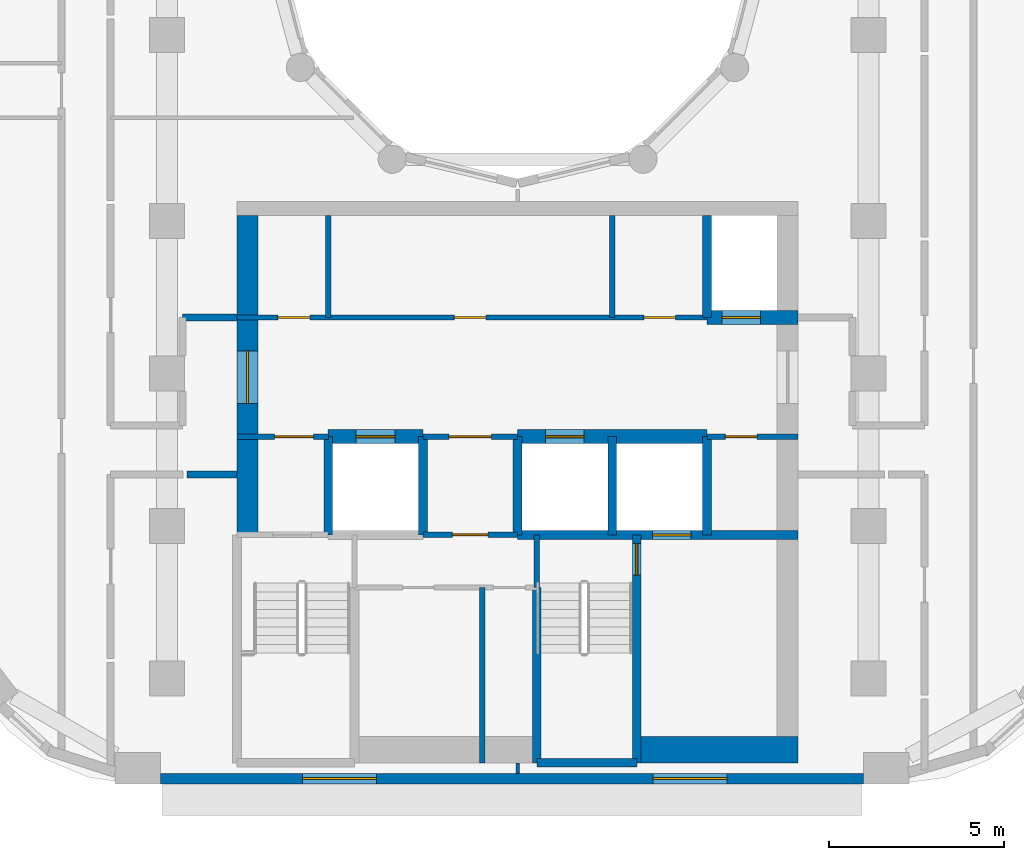
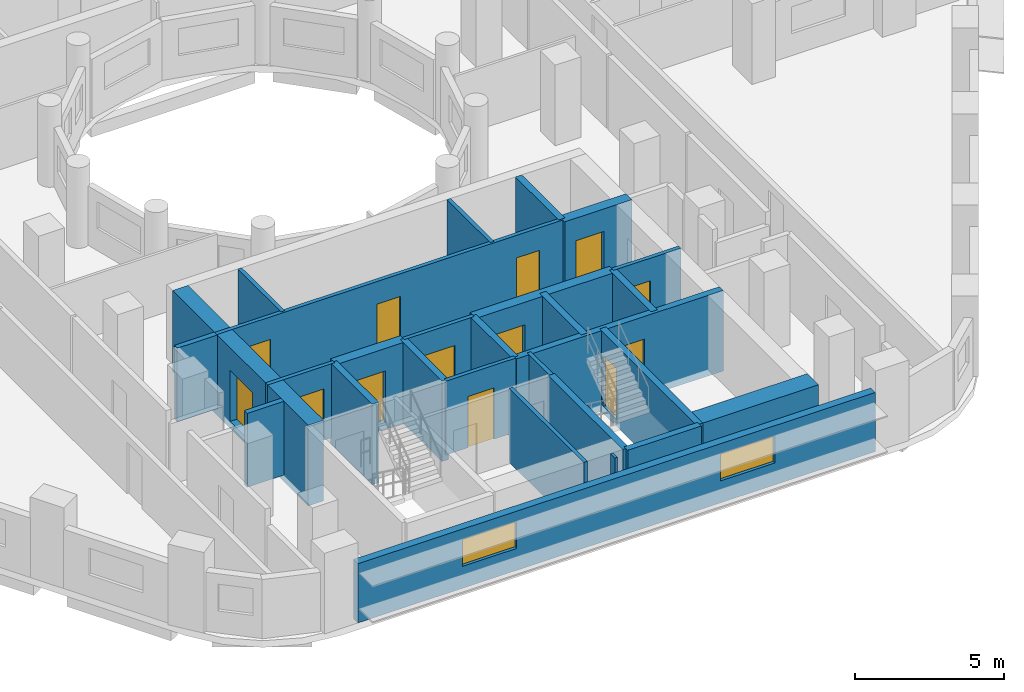
# One storey, part 3 of 13: 28 walls, 13 doors, 2 windows, 15 openings.
"""IFC4 building model written with IfcOpenShell, lengths in metres."""

from ifc_helpers import new_model, si_unit, direction, frame, frame_2d, origin, place, context, subcontext, project, spatial, rectangle, extrude, material, layer, layer_set, type_object, element, fill, save


model = new_model("IFC4")

# Units and contexts
model_context = context("Model", 3, precision=1e-05, world=origin(), true_north=direction((0.0, 1.0)))
body_context = subcontext(model_context, "Body", "Model", "MODEL_VIEW")
ifc_project = project(units=[si_unit("LENGTHUNIT", "METRE"), si_unit("AREAUNIT", "SQUARE_METRE"), si_unit("VOLUMEUNIT", "CUBIC_METRE"), si_unit("PLANEANGLEUNIT", "RADIAN"), si_unit("MASSUNIT", "GRAM", prefix="KILO")], contexts=[model_context])

# Site, building, storey
site_placement = place(None, origin())
site = spatial("IfcSite", under=ifc_project, at=site_placement, CompositionType="ELEMENT")
building_placement = place(site_placement, origin())
building = spatial("IfcBuilding", under=site, at=building_placement, Name="Nakaniwa Court", CompositionType="ELEMENT")
storey_placement = place(building_placement, frame((0.0, 0.0, 150.300048828125)))
storey = spatial("IfcBuildingStorey", under=building, at=storey_placement, Name="L39", CompositionType="ELEMENT", Elevation=150.300048828125)

# Walls
ifc_material_1 = material(Name="Acoustic double stud partition")
ifc_layer_1 = layer(ifc_material_1, 0.199951171875)
ifc_layer_set_1 = layer_set([ifc_layer_1], Name="Acoustic double stud partition")
wall_type_1 = type_object("IfcWallType", Name="Acoustic double stud partition 200", PredefinedType="PARTITIONING", material=ifc_layer_set_1)
wall_1_placement = place(storey_placement, frame((70.5771484375, 64.824951171875, 0.0), z_axis=(0.0, 0.0, 1.0), x_axis=(1.0, 0.0, 0.0)))
element("IfcWall", 1, at=wall_1_placement, inside=storey, type_object=wall_type_1, Name="Partition PW-077", PredefinedType="PARTITIONING", context=body_context, shape_type="SweptSolid", body=[
    extrude(rectangle(XDim=1.4228515625, YDim=0.199951171875, at=frame_2d((0.71142578125, 0.0))), origin(), (0.0, 0.0, 1.0), 3.02490234375),
])
wall_2_placement = place(storey_placement, frame((70.449951171875, 69.300048828125, 0.0), z_axis=(0.0, 0.0, 1.0), x_axis=(1.0, 0.0, 0.0)))
element("IfcWall", 2, at=wall_2_placement, inside=storey, type_object=wall_type_1, Name="Partition PW-081", PredefinedType="PARTITIONING", context=body_context, shape_type="SweptSolid", body=[
    extrude(rectangle(XDim=1.550048828125, YDim=0.199951171875, at=frame_2d((0.77490234375, 0.0))), origin(), (0.0, 0.0, 1.0), 3.02490234375),
])

# Wall, openings, windows
ifc_material_2 = material(Name="Charcoal ceramic cladding")
ifc_layer_2 = layer(ifc_material_2, 0.02, Name="Ceramic cladding")
ifc_material_3 = material(Name="Ventilated air cavity")
ifc_layer_3 = layer(ifc_material_3, 0.04, ventilated=True, Name="Ventilated cavity")
ifc_material_4 = material(Name="Mineral wool insulation")
ifc_layer_4 = layer(ifc_material_4, 0.1, Name="Insulation")
ifc_material_5 = material(Name="Cement bonded sheathing board")
ifc_layer_5 = layer(ifc_material_5, 0.012, Name="Sheathing")
ifc_material_6 = material(Name="Cold-formed galvanised stud frame with mineral wool infill")
ifc_layer_6 = layer(ifc_material_6, 0.1, Name="Stud frame")
ifc_material_7 = material(Name="Fire-rated gypsum plasterboard lining")
ifc_layer_7 = layer(ifc_material_7, 0.028, Name="Lining")
ifc_layer_set_2 = layer_set([ifc_layer_2, ifc_layer_3, ifc_layer_4, ifc_layer_5, ifc_layer_6, ifc_layer_7], Name="Charcoal ceramic faced external wall system")
wall_type_2 = type_object("IfcWallType", Name="Black ceramic faced external wall 300", PredefinedType="SOLIDWALL", material=ifc_layer_set_2)
wall_3_placement = place(storey_placement, frame((69.8212890625, 56.14990234375, 0.0), z_axis=(0.0, 0.0, 1.0), x_axis=(1.0, 0.0, 0.0)))
wall_3 = element("IfcWall", 3, at=wall_3_placement, inside=storey, type_object=wall_type_2, Name="L39 external wall 26", PredefinedType="SOLIDWALL", context=body_context, shape_type="SweptSolid", body=[
    extrude(rectangle(XDim=20.039794921875, YDim=0.300048828125, at=frame_2d((10.02001953125, 0.0))), origin(), (0.0, 0.0, 1.0), 2.425048828125),
])
opening_1_placement = place(wall_3_placement, frame((4.05126953125, 0.0, 0.89990234375)))
opening_1 = element("IfcOpeningElement", 4, at=opening_1_placement, cuts=wall_3, Name="Opening W7.25", PredefinedType="OPENING", context=body_context, shape_type="SweptSolid", body=[
    extrude(rectangle(XDim=2.10009765625, YDim=1.10009765625, at=frame_2d((1.050048828125, 0.550048828125))), frame((0.0, 0.159912109375, 0.0), z_axis=(0.0, -1.0, 0.0), x_axis=(1.0, 0.0, 0.0)), (0.0, 0.0, 1.0), 0.320068359375),
])
opening_2_placement = place(wall_3_placement, frame((14.047119140625, 0.0, 0.89990234375)))
opening_2 = element("IfcOpeningElement", 5, at=opening_2_placement, cuts=wall_3, Name="Opening W7.26", PredefinedType="OPENING", context=body_context, shape_type="SweptSolid", body=[
    extrude(rectangle(XDim=2.10009765625, YDim=1.10009765625, at=frame_2d((1.050048828125, 0.550048828125))), frame((0.0, 0.159912109375, 0.0), z_axis=(0.0, -1.0, 0.0), x_axis=(1.0, 0.0, 0.0)), (0.0, 0.0, 1.0), 0.320068359375),
])
ifc_material_8 = material(Name="Black anodised aluminium frame with dark low-E laminated double glazing", Category="aluminium")
window_type = type_object("IfcWindowType", Name="Dark glass window 2100x1100 sill 900", PartitioningType="SINGLE_PANEL", PredefinedType="WINDOW", material=ifc_material_8)
window_1_placement = place(opening_1_placement, origin())
window_1 = element("IfcWindow", 6, at=window_1_placement, inside=storey, type_object=window_type, Name="L39 habitable room window 26-0", OverallHeight=1.10009765625, OverallWidth=2.10009765625, PartitioningType="SINGLE_PANEL", PredefinedType="WINDOW", context=body_context, shape_type="SweptSolid", body=[
    extrude(rectangle(XDim=2.10009765625, YDim=1.10009765625, at=frame_2d((1.050048828125, 0.550048828125))), frame((0.0, 0.030029296875, 0.0), z_axis=(0.0, -1.0, 0.0), x_axis=(1.0, 0.0, 0.0)), (0.0, 0.0, 1.0), 0.06005859375),
])
fill(opening_1, window_1)
window_2_placement = place(opening_2_placement, origin())
window_2 = element("IfcWindow", 7, at=window_2_placement, inside=storey, type_object=window_type, Name="L39 habitable room window 26-1", OverallHeight=1.10009765625, OverallWidth=2.10009765625, PartitioningType="SINGLE_PANEL", PredefinedType="WINDOW", context=body_context, shape_type="SweptSolid", body=[
    extrude(rectangle(XDim=2.10009765625, YDim=1.10009765625, at=frame_2d((1.050048828125, 0.550048828125))), frame((0.0, 0.030029296875, 0.0), z_axis=(0.0, -1.0, 0.0), x_axis=(1.0, 0.0, 0.0)), (0.0, 0.0, 1.0), 0.06005859375),
])
fill(opening_2, window_2)

# Wall
ifc_material_9 = material(Name="Blockwork partition", Category="masonry")
ifc_layer_8 = layer(ifc_material_9, 0.14990234375)
ifc_layer_set_3 = layer_set([ifc_layer_8], Name="Blockwork partition")
wall_type_3 = type_object("IfcWallType", Name="Blockwork partition 150", PredefinedType="PARTITIONING", material=ifc_layer_set_3)
wall_4_placement = place(storey_placement, frame((74.60009765625, 69.300048828125, 0.0), z_axis=(0.0, 0.0, 1.0), x_axis=(0.0, 1.0, 0.0)))
element("IfcWall", 8, at=wall_4_placement, inside=storey, type_object=wall_type_3, Name="Partition PW-034", PredefinedType="PARTITIONING", context=body_context, shape_type="SweptSolid", body=[
    extrude(rectangle(XDim=2.89990234375, YDim=0.14990234375, at=frame_2d((1.449951171875, 0.0))), origin(), (0.0, 0.0, 1.0), 3.02490234375),
])

# Wall, openings, doors
wall_5_placement = place(storey_placement, frame((72.0, 69.300048828125, 0.0), z_axis=(0.0, 0.0, 1.0), x_axis=(1.0, 0.0, 0.0)))
wall_5 = element("IfcWall", 9, at=wall_5_placement, inside=storey, type_object=wall_type_3, Name="Partition PW-035", PredefinedType="PARTITIONING", context=body_context, shape_type="SweptSolid", body=[
    extrude(rectangle(XDim=13.39990234375, YDim=0.14990234375, at=frame_2d((6.699951171875, 0.0))), origin(), (0.0, 0.0, 1.0), 3.02490234375),
])
opening_3_placement = place(wall_5_placement, frame((1.175048828125, 0.0, 0.0)))
opening_3 = element("IfcOpeningElement", 10, at=opening_3_placement, cuts=wall_5, Name="Opening D-05-07", PredefinedType="OPENING", context=body_context, shape_type="SweptSolid", body=[
    extrude(rectangle(XDim=0.89990234375, YDim=2.10009765625, at=frame_2d((0.449951171875, 1.050048828125))), frame((0.0, 0.0849609375, 0.0), z_axis=(0.0, -1.0, 0.0), x_axis=(1.0, 0.0, 0.0)), (0.0, 0.0, 1.0), 0.169921875),
])
opening_4_placement = place(wall_5_placement, frame((6.199951171875, 0.0, 0.0)))
opening_4 = element("IfcOpeningElement", 11, at=opening_4_placement, cuts=wall_5, Name="Opening D-05-08", PredefinedType="OPENING", context=body_context, shape_type="SweptSolid", body=[
    extrude(rectangle(XDim=0.89990234375, YDim=2.10009765625, at=frame_2d((0.449951171875, 1.050048828125))), frame((0.0, 0.0849609375, 0.0), z_axis=(0.0, -1.0, 0.0), x_axis=(1.0, 0.0, 0.0)), (0.0, 0.0, 1.0), 0.169921875),
])
opening_5_placement = place(wall_5_placement, frame((11.60009765625, 0.0, 0.0)))
opening_5 = element("IfcOpeningElement", 12, at=opening_5_placement, cuts=wall_5, Name="Opening D-05-09", PredefinedType="OPENING", context=body_context, shape_type="SweptSolid", body=[
    extrude(rectangle(XDim=0.89990234375, YDim=2.10009765625, at=frame_2d((0.449951171875, 1.050048828125))), frame((0.0, 0.0849609375, 0.0), z_axis=(0.0, -1.0, 0.0), x_axis=(1.0, 0.0, 0.0)), (0.0, 0.0, 1.0), 0.169921875),
])
ifc_material_10 = material(Name="Fire rated steel door set", Category="steel")
door_type_1 = type_object("IfcDoorType", Name="Service room door 900", OperationType="NOTDEFINED", PredefinedType="DOOR", material=ifc_material_10)
door_1_placement = place(opening_3_placement, origin())
door_1 = element("IfcDoor", 13, at=door_1_placement, inside=storey, type_object=door_type_1, Name="Door D-05-07 L39-012", OperationType="SINGLE_SWING_LEFT", OverallHeight=2.10009765625, OverallWidth=0.89990234375, PredefinedType="DOOR", context=body_context, shape_type="SweptSolid", body=[
    extrude(rectangle(XDim=0.89990234375, YDim=2.10009765625, at=frame_2d((0.449951171875, 1.050048828125))), frame((0.0, 0.02490234375, 0.0), z_axis=(0.0, -1.0, 0.0), x_axis=(1.0, 0.0, 0.0)), (0.0, 0.0, 1.0), 0.050048828125),
])
fill(opening_3, door_1)
door_2_placement = place(opening_4_placement, origin())
door_2 = element("IfcDoor", 14, at=door_2_placement, inside=storey, type_object=door_type_1, Name="Door D-05-08 L39-013", OperationType="SINGLE_SWING_RIGHT", OverallHeight=2.10009765625, OverallWidth=0.89990234375, PredefinedType="DOOR", context=body_context, shape_type="SweptSolid", body=[
    extrude(rectangle(XDim=0.89990234375, YDim=2.10009765625, at=frame_2d((0.449951171875, 1.050048828125))), frame((0.0, 0.02490234375, 0.0), z_axis=(0.0, -1.0, 0.0), x_axis=(1.0, 0.0, 0.0)), (0.0, 0.0, 1.0), 0.050048828125),
])
fill(opening_4, door_2)
door_3_placement = place(opening_5_placement, origin())
door_3 = element("IfcDoor", 15, at=door_3_placement, inside=storey, type_object=door_type_1, Name="Door D-05-09 L39-014", OperationType="SINGLE_SWING_LEFT", OverallHeight=2.10009765625, OverallWidth=0.89990234375, PredefinedType="DOOR", context=body_context, shape_type="SweptSolid", body=[
    extrude(rectangle(XDim=0.89990234375, YDim=2.10009765625, at=frame_2d((0.449951171875, 1.050048828125))), frame((0.0, 0.02490234375, 0.0), z_axis=(0.0, -1.0, 0.0), x_axis=(1.0, 0.0, 0.0)), (0.0, 0.0, 1.0), 0.050048828125),
])
fill(opening_5, door_3)

# Wall
wall_6_placement = place(storey_placement, frame((82.699951171875, 69.300048828125, 0.0), z_axis=(0.0, 0.0, 1.0), x_axis=(0.0, 1.0, 0.0)))
element("IfcWall", 16, at=wall_6_placement, inside=storey, type_object=wall_type_3, Name="Partition PW-041", PredefinedType="PARTITIONING", context=body_context, shape_type="SweptSolid", body=[
    extrude(rectangle(XDim=2.89990234375, YDim=0.14990234375, at=frame_2d((1.449951171875, 0.0))), origin(), (0.0, 0.0, 1.0), 3.02490234375),
])

# Wall, opening, door
wall_7_placement = place(storey_placement, frame((74.60302734375, 65.89990234375, 0.0), z_axis=(0.0, 0.0, 1.0), x_axis=(-1.0, 0.0, 0.0)))
wall_7 = element("IfcWall", 17, at=wall_7_placement, inside=storey, type_object=wall_type_3, Name="Partition PW-042", PredefinedType="PARTITIONING", context=body_context, shape_type="SweptSolid", body=[
    extrude(rectangle(XDim=2.60302734375, YDim=0.14990234375, at=frame_2d((1.301513671875, 0.0))), origin(), (0.0, 0.0, 1.0), 3.02490234375),
])
opening_6_placement = place(wall_7_placement, frame((0.427978515625, 0.0, 0.0)))
opening_6 = element("IfcOpeningElement", 18, at=opening_6_placement, cuts=wall_7, Name="Opening D-08-02", PredefinedType="OPENING", context=body_context, shape_type="SweptSolid", body=[
    extrude(rectangle(XDim=1.10009765625, YDim=2.10009765625, at=frame_2d((0.550048828125, 1.050048828125))), frame((0.0, 0.0849609375, 0.0), z_axis=(0.0, -1.0, 0.0), x_axis=(1.0, 0.0, 0.0)), (0.0, 0.0, 1.0), 0.169921875),
])
door_type_2 = type_object("IfcDoorType", Name="Stair lobby door 1100", OperationType="NOTDEFINED", PredefinedType="DOOR", material=ifc_material_10)
door_4_placement = place(opening_6_placement, origin())
door_4 = element("IfcDoor", 19, at=door_4_placement, inside=storey, type_object=door_type_2, Name="Door D-08-02 L39-015", OperationType="SINGLE_SWING_RIGHT", OverallHeight=2.10009765625, OverallWidth=1.10009765625, PredefinedType="DOOR", context=body_context, shape_type="SweptSolid", body=[
    extrude(rectangle(XDim=1.10009765625, YDim=2.10009765625, at=frame_2d((0.550048828125, 1.050048828125))), frame((0.0, 0.02490234375, 0.0), z_axis=(0.0, -1.0, 0.0), x_axis=(1.0, 0.0, 0.0)), (0.0, 0.0, 1.0), 0.050048828125),
])
fill(opening_6, door_4)

wall_8_placement = place(storey_placement, frame((80.0029296875, 65.89990234375, 0.0), z_axis=(0.0, 0.0, 1.0), x_axis=(-1.0, 0.0, 0.0)))
wall_8 = element("IfcWall", 20, at=wall_8_placement, inside=storey, type_object=wall_type_3, Name="Partition PW-043", PredefinedType="PARTITIONING", context=body_context, shape_type="SweptSolid", body=[
    extrude(rectangle(XDim=2.705810546875, YDim=0.14990234375, at=frame_2d((1.35302734375, 0.0))), origin(), (0.0, 0.0, 1.0), 3.02490234375),
])
opening_7_placement = place(wall_8_placement, frame((0.7529296875, 0.0, 0.0)))
opening_7 = element("IfcOpeningElement", 21, at=opening_7_placement, cuts=wall_8, Name="Opening D-06-02", PredefinedType="OPENING", context=body_context, shape_type="SweptSolid", body=[
    extrude(rectangle(XDim=1.199951171875, YDim=2.10009765625, at=frame_2d((0.60009765625, 1.050048828125))), frame((0.0, 0.0849609375, 0.0), z_axis=(0.0, -1.0, 0.0), x_axis=(1.0, 0.0, 0.0)), (0.0, 0.0, 1.0), 0.169921875),
])
ifc_material_11 = material(Name="Fire rated steel double door set", Category="steel")
door_type_3 = type_object("IfcDoorType", Name="Service passage double door 1200", OperationType="NOTDEFINED", PredefinedType="DOOR", material=ifc_material_11)
door_5_placement = place(opening_7_placement, origin())
door_5 = element("IfcDoor", 22, at=door_5_placement, inside=storey, type_object=door_type_3, Name="Door D-06-02 L39-016", OperationType="DOUBLE_DOOR_SINGLE_SWING", OverallHeight=2.10009765625, OverallWidth=1.199951171875, PredefinedType="DOOR", context=body_context, shape_type="SweptSolid", body=[
    extrude(rectangle(XDim=1.199951171875, YDim=2.10009765625, at=frame_2d((0.60009765625, 1.050048828125))), frame((0.0, 0.02490234375, 0.0), z_axis=(0.0, -1.0, 0.0), x_axis=(1.0, 0.0, 0.0)), (0.0, 0.0, 1.0), 0.050048828125),
])
fill(opening_7, door_5)

wall_9_placement = place(storey_placement, frame((88.0, 65.89990234375, 0.0), z_axis=(0.0, 0.0, 1.0), x_axis=(-1.0, 0.0, 0.0)))
wall_9 = element("IfcWall", 23, at=wall_9_placement, inside=storey, type_object=wall_type_3, Name="Partition PW-044", PredefinedType="PARTITIONING", context=body_context, shape_type="SweptSolid", body=[
    extrude(rectangle(XDim=2.60302734375, YDim=0.14990234375, at=frame_2d((1.301513671875, 0.0))), origin(), (0.0, 0.0, 1.0), 3.02490234375),
])
opening_8_placement = place(wall_9_placement, frame((1.175048828125, 0.0, 0.0)))
opening_8 = element("IfcOpeningElement", 24, at=opening_8_placement, cuts=wall_9, Name="Opening D-05-10", PredefinedType="OPENING", context=body_context, shape_type="SweptSolid", body=[
    extrude(rectangle(XDim=0.89990234375, YDim=2.10009765625, at=frame_2d((0.449951171875, 1.050048828125))), frame((0.0, 0.0849609375, 0.0), z_axis=(0.0, -1.0, 0.0), x_axis=(1.0, 0.0, 0.0)), (0.0, 0.0, 1.0), 0.169921875),
])
door_6_placement = place(opening_8_placement, origin())
door_6 = element("IfcDoor", 25, at=door_6_placement, inside=storey, type_object=door_type_1, Name="Door D-05-10 L39-017", OperationType="SINGLE_SWING_RIGHT", OverallHeight=2.10009765625, OverallWidth=0.89990234375, PredefinedType="DOOR", context=body_context, shape_type="SweptSolid", body=[
    extrude(rectangle(XDim=0.89990234375, YDim=2.10009765625, at=frame_2d((0.449951171875, 1.050048828125))), frame((0.0, 0.02490234375, 0.0), z_axis=(0.0, -1.0, 0.0), x_axis=(1.0, 0.0, 0.0)), (0.0, 0.0, 1.0), 0.050048828125),
])
fill(opening_8, door_6)

wall_10_placement = place(storey_placement, frame((80.0, 63.10009765625, 0.0), z_axis=(0.0, 0.0, 1.0), x_axis=(-1.0, 0.0, 0.0)))
wall_10 = element("IfcWall", 26, at=wall_10_placement, inside=storey, type_object=wall_type_3, Name="Partition PW-053", PredefinedType="PARTITIONING", context=body_context, shape_type="SweptSolid", body=[
    extrude(rectangle(XDim=2.699951171875, YDim=0.14990234375, at=frame_2d((1.35009765625, 0.0))), origin(), (0.0, 0.0, 1.0), 3.02490234375),
])
opening_9_placement = place(wall_10_placement, frame((0.85009765625, 0.0, 0.0)))
opening_9 = element("IfcOpeningElement", 27, at=opening_9_placement, cuts=wall_10, Name="Opening D-23-02", PredefinedType="OPENING", context=body_context, shape_type="SweptSolid", body=[
    extrude(rectangle(XDim=1.0, YDim=2.10009765625, at=frame_2d((0.5, 1.050048828125))), frame((0.0, 0.0849609375, 0.0), z_axis=(0.0, -1.0, 0.0), x_axis=(1.0, 0.0, 0.0)), (0.0, 0.0, 1.0), 0.169921875),
])
door_type_4 = type_object("IfcDoorType", Name="Service room door 1000", OperationType="NOTDEFINED", PredefinedType="DOOR", material=ifc_material_10)
door_7_placement = place(opening_9_placement, origin())
door_7 = element("IfcDoor", 28, at=door_7_placement, inside=storey, type_object=door_type_4, Name="Door D-23-02 L39-018", OperationType="SINGLE_SWING_LEFT", OverallHeight=2.10009765625, OverallWidth=1.0, PredefinedType="DOOR", context=body_context, shape_type="SweptSolid", body=[
    extrude(rectangle(XDim=1.0, YDim=2.10009765625, at=frame_2d((0.5, 1.050048828125))), frame((0.0, 0.02490234375, 0.0), z_axis=(0.0, -1.0, 0.0), x_axis=(1.0, 0.0, 0.0)), (0.0, 0.0, 1.0), 0.050048828125),
])
fill(opening_9, door_7)

# Wall
wall_11_placement = place(storey_placement, frame((78.989990234375, 56.60009765625, 0.0), z_axis=(0.0, 0.0, 1.0), x_axis=(0.0, 1.0, 0.0)))
element("IfcWall", 29, at=wall_11_placement, inside=storey, type_object=wall_type_3, Name="Partition PW-066", PredefinedType="PARTITIONING", context=body_context, shape_type="SweptSolid", body=[
    extrude(rectangle(XDim=5.0, YDim=0.14990234375, at=frame_2d((2.5, 0.0))), origin(), (0.0, 0.0, 1.0), 3.02490234375),
])

# Wall, opening, door
ifc_material_12 = material(Name="Concrete C80/100", Category="concrete")
ifc_layer_9 = layer(ifc_material_12, 0.60009765625)
ifc_layer_set_4 = layer_set([ifc_layer_9], Name="Concrete C80/100")
wall_type_4 = type_object("IfcWallType", Name="Concrete core side wall 600 C80", PredefinedType="SHEAR", material=ifc_layer_set_4)
wall_12_placement = place(storey_placement, frame((72.300048828125, 63.10009765625, -0.275146484375), z_axis=(0.0, 0.0, 1.0), x_axis=(0.0, 1.0, 0.0)))
wall_12 = element("IfcWall", 30, at=wall_12_placement, inside=storey, type_object=wall_type_4, Name="Core wall SW-36", PredefinedType="SHEAR", context=body_context, shape_type="SweptSolid", body=[
    extrude(rectangle(XDim=9.099853515625, YDim=0.60009765625, at=frame_2d((4.5498046875, 0.0))), origin(), (0.0, 0.0, 1.0), 3.300048828125),
])
opening_10_placement = place(wall_12_placement, frame((3.748046875, 0.0, 0.27490234375)))
opening_10 = element("IfcOpeningElement", 31, at=opening_10_placement, cuts=wall_12, Name="Opening D-07-04", PredefinedType="OPENING", context=body_context, shape_type="SweptSolid", body=[
    extrude(rectangle(XDim=1.5, YDim=2.10009765625, at=frame_2d((0.75, 1.050048828125))), frame((0.0, 0.31005859375, 0.0), z_axis=(0.0, -1.0, 0.0), x_axis=(1.0, 0.0, 0.0)), (0.0, 0.0, 1.0), 0.6201171875),
])
ifc_material_13 = material(Name="Glazed fire rated steel double door set", Category="steel")
door_type_5 = type_object("IfcDoorType", Name="Lobby double door 1500", OperationType="NOTDEFINED", PredefinedType="DOOR", material=ifc_material_13)
door_8_placement = place(opening_10_placement, origin())
door_8 = element("IfcDoor", 32, at=door_8_placement, inside=storey, type_object=door_type_5, Name="Door D-07-04 L39-052", OperationType="DOUBLE_DOOR_SINGLE_SWING", OverallHeight=2.10009765625, OverallWidth=1.5, PredefinedType="DOOR", context=body_context, shape_type="SweptSolid", body=[
    extrude(rectangle(XDim=1.5, YDim=2.10009765625, at=frame_2d((0.75, 1.050048828125))), frame((0.0, 0.02490234375, 0.0), z_axis=(0.0, -1.0, 0.0), x_axis=(1.0, 0.0, 0.0)), (0.0, 0.0, 1.0), 0.050048828125),
])
fill(opening_10, door_8)

ifc_layer_10 = layer(ifc_material_12, 0.39990234375)
ifc_layer_set_5 = layer_set([ifc_layer_10], Name="Concrete C80/100")
wall_type_5 = type_object("IfcWallType", Name="Concrete core spine wall 400 C80", PredefinedType="SHEAR", material=ifc_layer_set_5)
wall_13_placement = place(storey_placement, frame((85.39990234375, 69.300048828125, -0.275146484375), z_axis=(0.0, 0.0, 1.0), x_axis=(1.0, 0.0, 0.0)))
wall_13 = element("IfcWall", 33, at=wall_13_placement, inside=storey, type_object=wall_type_5, Name="Core wall SW-39", PredefinedType="SHEAR", context=body_context, shape_type="SweptSolid", body=[
    extrude(rectangle(XDim=2.60009765625, YDim=0.39990234375, at=frame_2d((1.300048828125, 0.0))), origin(), (0.0, 0.0, 1.0), 3.300048828125),
])
opening_11_placement = place(wall_13_placement, frame((0.425048828125, 0.0, 0.27490234375)))
opening_11 = element("IfcOpeningElement", 34, at=opening_11_placement, cuts=wall_13, Name="Opening LD05", PredefinedType="OPENING", context=body_context, shape_type="SweptSolid", body=[
    extrude(rectangle(XDim=1.10009765625, YDim=2.10009765625, at=frame_2d((0.550048828125, 1.050048828125))), frame((0.0, 0.2099609375, 0.0), z_axis=(0.0, -1.0, 0.0), x_axis=(1.0, 0.0, 0.0)), (0.0, 0.0, 1.0), 0.419921875),
])
ifc_material_14 = material(Name="Stainless steel sliding lift landing door", Category="steel")
door_type_6 = type_object("IfcDoorType", Name="Lift landing door 1100", OperationType="NOTDEFINED", PredefinedType="DOOR", material=ifc_material_14)
door_9_placement = place(opening_11_placement, origin())
door_9 = element("IfcDoor", 35, at=door_9_placement, inside=storey, type_object=door_type_6, Name="Lift landing door LD05 L39-005", OperationType="SLIDING_TO_LEFT", OverallHeight=2.10009765625, OverallWidth=1.10009765625, PredefinedType="DOOR", context=body_context, shape_type="SweptSolid", body=[
    extrude(rectangle(XDim=1.10009765625, YDim=2.10009765625, at=frame_2d((0.550048828125, 1.050048828125))), frame((0.0, 0.02490234375, 0.0), z_axis=(0.0, -1.0, 0.0), x_axis=(1.0, 0.0, 0.0)), (0.0, 0.0, 1.0), 0.050048828125),
])
fill(opening_11, door_9)

wall_14_placement = place(storey_placement, frame((74.596923828125, 65.89990234375, -0.275146484375), z_axis=(0.0, 0.0, 1.0), x_axis=(1.0, 0.0, 0.0)))
wall_14 = element("IfcWall", 36, at=wall_14_placement, inside=storey, type_object=wall_type_5, Name="Core wall SW-45", PredefinedType="SHEAR", context=body_context, shape_type="SweptSolid", body=[
    extrude(rectangle(XDim=2.7060546875, YDim=0.39990234375, at=frame_2d((1.35302734375, 0.0))), origin(), (0.0, 0.0, 1.0), 3.300048828125),
])
opening_12_placement = place(wall_14_placement, frame((0.802978515625, 0.0, 0.27490234375)))
opening_12 = element("IfcOpeningElement", 37, at=opening_12_placement, cuts=wall_14, Name="Opening LD06", PredefinedType="OPENING", context=body_context, shape_type="SweptSolid", body=[
    extrude(rectangle(XDim=1.10009765625, YDim=2.10009765625, at=frame_2d((0.550048828125, 1.050048828125))), frame((0.0, 0.2099609375, 0.0), z_axis=(0.0, -1.0, 0.0), x_axis=(1.0, 0.0, 0.0)), (0.0, 0.0, 1.0), 0.419921875),
])
door_10_placement = place(opening_12_placement, origin())
door_10 = element("IfcDoor", 38, at=door_10_placement, inside=storey, type_object=door_type_6, Name="Lift landing door LD06 L39-006", OperationType="SLIDING_TO_LEFT", OverallHeight=2.10009765625, OverallWidth=1.10009765625, PredefinedType="DOOR", context=body_context, shape_type="SweptSolid", body=[
    extrude(rectangle(XDim=1.10009765625, YDim=2.10009765625, at=frame_2d((0.550048828125, 1.050048828125))), frame((0.0, 0.02490234375, 0.0), z_axis=(0.0, -1.0, 0.0), x_axis=(1.0, 0.0, 0.0)), (0.0, 0.0, 1.0), 0.050048828125),
])
fill(opening_12, door_10)

wall_15_placement = place(storey_placement, frame((79.9970703125, 65.89990234375, -0.275146484375), z_axis=(0.0, 0.0, 1.0), x_axis=(1.0, 0.0, 0.0)))
wall_15 = element("IfcWall", 39, at=wall_15_placement, inside=storey, type_object=wall_type_5, Name="Core wall SW-46", PredefinedType="SHEAR", context=body_context, shape_type="SweptSolid", body=[
    extrude(rectangle(XDim=5.406005859375, YDim=0.39990234375, at=frame_2d((2.703125, 0.0))), origin(), (0.0, 0.0, 1.0), 3.300048828125),
])
opening_13_placement = place(wall_15_placement, frame((0.802978515625, 0.0, 0.27490234375)))
opening_13 = element("IfcOpeningElement", 40, at=opening_13_placement, cuts=wall_15, Name="Opening LD07", PredefinedType="OPENING", context=body_context, shape_type="SweptSolid", body=[
    extrude(rectangle(XDim=1.10009765625, YDim=2.10009765625, at=frame_2d((0.550048828125, 1.050048828125))), frame((0.0, 0.2099609375, 0.0), z_axis=(0.0, -1.0, 0.0), x_axis=(1.0, 0.0, 0.0)), (0.0, 0.0, 1.0), 0.419921875),
])
door_11_placement = place(opening_13_placement, origin())
door_11 = element("IfcDoor", 41, at=door_11_placement, inside=storey, type_object=door_type_6, Name="Lift landing door LD07 L39-007", OperationType="SLIDING_TO_LEFT", OverallHeight=2.10009765625, OverallWidth=1.10009765625, PredefinedType="DOOR", context=body_context, shape_type="SweptSolid", body=[
    extrude(rectangle(XDim=1.10009765625, YDim=2.10009765625, at=frame_2d((0.550048828125, 1.050048828125))), frame((0.0, 0.02490234375, 0.0), z_axis=(0.0, -1.0, 0.0), x_axis=(1.0, 0.0, 0.0)), (0.0, 0.0, 1.0), 0.050048828125),
])
fill(opening_13, door_11)

# Walls
ifc_layer_11 = layer(ifc_material_12, 0.14990234375)
ifc_layer_set_6 = layer_set([ifc_layer_11], Name="Concrete C80/100")
wall_type_6 = type_object("IfcWallType", Name="Concrete core wall 150 C80", PredefinedType="SHEAR", material=ifc_layer_set_6)
wall_16_placement = place(storey_placement, frame((80.550048828125, 61.596923828125, -0.275146484375), z_axis=(0.0, 0.0, 1.0), x_axis=(0.0, 1.0, 0.0)))
element("IfcWall", 42, at=wall_16_placement, inside=storey, type_object=wall_type_6, Name="Core wall SW-61", PredefinedType="SHEAR", context=body_context, shape_type="SweptSolid", body=[
    extrude(rectangle(XDim=1.503173828125, YDim=0.14990234375, at=frame_2d((0.75146484375, 0.0))), origin(), (0.0, 0.0, 1.0), 3.300048828125),
])
ifc_layer_12 = layer(ifc_material_12, 0.25)
ifc_layer_set_7 = layer_set([ifc_layer_12], Name="Concrete C80/100")
wall_type_7 = type_object("IfcWallType", Name="Concrete core wall 250 C80", PredefinedType="SHEAR", material=ifc_layer_set_7)
wall_17_placement = place(storey_placement, frame((80.550048828125, 56.60009765625, -0.275146484375), z_axis=(0.0, 0.0, 1.0), x_axis=(1.0, 0.0, 0.0)))
element("IfcWall", 43, at=wall_17_placement, inside=storey, type_object=wall_type_7, Name="Core wall SW-59", PredefinedType="SHEAR", context=body_context, shape_type="SweptSolid", body=[
    extrude(rectangle(XDim=2.849853515625, YDim=0.25, at=frame_2d((1.4248046875, 0.0))), origin(), (0.0, 0.0, 1.0), 3.300048828125),
])
ifc_layer_13 = layer(ifc_material_12, 0.75)
ifc_layer_set_8 = layer_set([ifc_layer_13], Name="Concrete C80/100")
wall_type_8 = type_object("IfcWallType", Name="Concrete core wall 750 C80", PredefinedType="SHEAR", material=ifc_layer_set_8)
wall_18_placement = place(storey_placement, frame((83.39990234375, 56.97509765625, -0.275146484375), z_axis=(0.0, 0.0, 1.0), x_axis=(1.0, 0.0, 0.0)))
element("IfcWall", 44, at=wall_18_placement, inside=storey, type_object=wall_type_8, Name="Core wall SW-64", PredefinedType="SHEAR", context=body_context, shape_type="SweptSolid", body=[
    extrude(rectangle(XDim=4.60009765625, YDim=0.75, at=frame_2d((2.300048828125, 0.0))), origin(), (0.0, 0.0, 1.0), 3.300048828125),
])
ifc_layer_14 = layer(ifc_material_12, 0.25)
ifc_layer_set_9 = layer_set([ifc_layer_14], Name="Concrete C80/100")
wall_type_9 = type_object("IfcWallType", Name="Concrete shaft wall 250 C80", PredefinedType="SHEAR", material=ifc_layer_set_9)
wall_19_placement = place(storey_placement, frame((85.39990234375, 63.10009765625, -0.275146484375), z_axis=(0.0, 0.0, 1.0), x_axis=(0.0, 1.0, 0.0)))
element("IfcWall", 45, at=wall_19_placement, inside=storey, type_object=wall_type_9, Name="Core wall SW-37", PredefinedType="SHEAR", context=body_context, shape_type="SweptSolid", body=[
    extrude(rectangle(XDim=2.7998046875, YDim=0.25, at=frame_2d((1.39990234375, 0.0))), origin(), (0.0, 0.0, 1.0), 3.300048828125),
])
wall_20_placement = place(storey_placement, frame((85.39990234375, 69.300048828125, -0.275146484375), z_axis=(0.0, 0.0, 1.0), x_axis=(0.0, 1.0, 0.0)))
element("IfcWall", 46, at=wall_20_placement, inside=storey, type_object=wall_type_9, Name="Core wall SW-38", PredefinedType="SHEAR", context=body_context, shape_type="SweptSolid", body=[
    extrude(rectangle(XDim=2.89990234375, YDim=0.25, at=frame_2d((1.449951171875, 0.0))), origin(), (0.0, 0.0, 1.0), 3.300048828125),
])
for number, where, z_axis, x_axis, name in (
    (47, (74.60009765625, 63.10009765625, -0.275146484375), (0.0, 0.0, 1.0), (0.0, 1.0, 0.0), "Core wall SW-47"),
    (48, (77.300048828125, 63.10009765625, -0.275146484375), (0.0, 0.0, 1.0), (0.0, 1.0, 0.0), "Core wall SW-49"),
):
    element("IfcWall", number, at=place(storey_placement, frame(where, z_axis=z_axis, x_axis=x_axis)), inside=storey, type_object=wall_type_9, Name=name, PredefinedType="SHEAR", context=body_context, shape_type="SweptSolid", body=[
        extrude(rectangle(XDim=2.7998046875, YDim=0.25, at=frame_2d((1.39990234375, 0.0))), origin(), (0.0, 0.0, 1.0), 3.300048828125),
    ])

# Wall, opening, door
wall_21_placement = place(storey_placement, frame((80.0, 63.10009765625, -0.275146484375), z_axis=(0.0, 0.0, 1.0), x_axis=(1.0, 0.0, 0.0)))
wall_21 = element("IfcWall", 49, at=wall_21_placement, inside=storey, type_object=wall_type_9, Name="Core wall SW-51", PredefinedType="SHEAR", context=body_context, shape_type="SweptSolid", body=[
    extrude(rectangle(XDim=8.0, YDim=0.25, at=frame_2d((4.0, 0.0))), origin(), (0.0, 0.0, 1.0), 3.300048828125),
])
opening_14_placement = place(wall_21_placement, frame((3.84912109375, 0.0, 0.27490234375)))
opening_14 = element("IfcOpeningElement", 50, at=opening_14_placement, cuts=wall_21, Name="Opening LD08", PredefinedType="OPENING", context=body_context, shape_type="SweptSolid", body=[
    extrude(rectangle(XDim=1.10009765625, YDim=2.10009765625, at=frame_2d((0.550048828125, 1.050048828125))), frame((0.0, 0.135009765625, 0.0), z_axis=(0.0, -1.0, 0.0), x_axis=(1.0, 0.0, 0.0)), (0.0, 0.0, 1.0), 0.27001953125),
])
door_12_placement = place(opening_14_placement, origin())
door_12 = element("IfcDoor", 51, at=door_12_placement, inside=storey, type_object=door_type_6, Name="Lift landing door LD08 L39-008", OperationType="SLIDING_TO_LEFT", OverallHeight=2.10009765625, OverallWidth=1.10009765625, PredefinedType="DOOR", context=body_context, shape_type="SweptSolid", body=[
    extrude(rectangle(XDim=1.10009765625, YDim=2.10009765625, at=frame_2d((0.550048828125, 1.050048828125))), frame((0.0, 0.02490234375, 0.0), z_axis=(0.0, -1.0, 0.0), x_axis=(1.0, 0.0, 0.0)), (0.0, 0.0, 1.0), 0.050048828125),
])
fill(opening_14, door_12)

# Walls
for number, where, z_axis, x_axis, name in (
    (52, (80.0, 63.10009765625, -0.275146484375), (0.0, 0.0, 1.0), (0.0, 1.0, 0.0), "Core wall SW-52"),
    (53, (82.699951171875, 63.10009765625, -0.275146484375), (0.0, 0.0, 1.0), (0.0, 1.0, 0.0), "Core wall SW-54"),
):
    element("IfcWall", number, at=place(storey_placement, frame(where, z_axis=z_axis, x_axis=x_axis)), inside=storey, type_object=wall_type_9, Name=name, PredefinedType="SHEAR", context=body_context, shape_type="SweptSolid", body=[
        extrude(rectangle(XDim=2.7998046875, YDim=0.25, at=frame_2d((1.39990234375, 0.0))), origin(), (0.0, 0.0, 1.0), 3.300048828125),
    ])

# Wall, opening, door
wall_22_placement = place(storey_placement, frame((83.39990234375, 63.10009765625, -0.275146484375), z_axis=(0.0, 0.0, 1.0), x_axis=(0.0, -1.0, 0.0)))
wall_22 = element("IfcWall", 54, at=wall_22_placement, inside=storey, type_object=wall_type_9, Name="Core wall SW-60", PredefinedType="SHEAR", context=body_context, shape_type="SweptSolid", body=[
    extrude(rectangle(XDim=6.5, YDim=0.25, at=frame_2d((3.25, 0.0))), origin(), (0.0, 0.0, 1.0), 3.300048828125),
])
opening_15_placement = place(wall_22_placement, frame((0.25, 0.0, 0.27490234375)))
opening_15 = element("IfcOpeningElement", 55, at=opening_15_placement, cuts=wall_22, Name="Opening D-11-02", PredefinedType="OPENING", context=body_context, shape_type="SweptSolid", body=[
    extrude(rectangle(XDim=0.89990234375, YDim=2.10009765625, at=frame_2d((0.449951171875, 1.050048828125))), frame((0.0, 0.135009765625, 0.0), z_axis=(0.0, -1.0, 0.0), x_axis=(1.0, 0.0, 0.0)), (0.0, 0.0, 1.0), 0.27001953125),
])
door_type_7 = type_object("IfcDoorType", Name="Stair door 900", OperationType="NOTDEFINED", PredefinedType="DOOR", material=ifc_material_10)
door_13_placement = place(opening_15_placement, origin())
door_13 = element("IfcDoor", 56, at=door_13_placement, inside=storey, type_object=door_type_7, Name="Door D-11-02 L39-022", OperationType="SINGLE_SWING_RIGHT", OverallHeight=2.10009765625, OverallWidth=0.89990234375, PredefinedType="DOOR", context=body_context, shape_type="SweptSolid", body=[
    extrude(rectangle(XDim=0.89990234375, YDim=2.10009765625, at=frame_2d((0.449951171875, 1.050048828125))), frame((0.0, 0.02490234375, 0.0), z_axis=(0.0, -1.0, 0.0), x_axis=(1.0, 0.0, 0.0)), (0.0, 0.0, 1.0), 0.050048828125),
])
fill(opening_15, door_13)

# Walls
wall_23_placement = place(storey_placement, frame((80.550048828125, 56.60009765625, -0.275146484375), z_axis=(0.0, 0.0, 1.0), x_axis=(0.0, 1.0, 0.0)))
element("IfcWall", 57, at=wall_23_placement, inside=storey, type_object=wall_type_9, Name="Core wall SW-62", PredefinedType="SHEAR", context=body_context, shape_type="SweptSolid", body=[
    extrude(rectangle(XDim=5.0029296875, YDim=0.25, at=frame_2d((2.50146484375, 0.0))), origin(), (0.0, 0.0, 1.0), 3.300048828125),
])
ifc_material_15 = material(Name="Single stud plasterboard partition")
ifc_layer_15 = layer(ifc_material_15, 0.10009765625)
ifc_layer_set_10 = layer_set([ifc_layer_15], Name="Single stud plasterboard partition")
wall_type_10 = type_object("IfcWallType", Name="Single stud plasterboard partition 100", PredefinedType="PARTITIONING", material=ifc_layer_set_10)
wall_24_placement = place(storey_placement, frame((80.0, 56.300048828125, 0.0), z_axis=(0.0, 0.0, 1.0), x_axis=(0.0, 1.0, 0.0)))
element("IfcWall", 58, at=wall_24_placement, inside=storey, type_object=wall_type_10, Name="Partition PW-111", PredefinedType="PARTITIONING", context=body_context, shape_type="SweptSolid", body=[
    extrude(rectangle(XDim=0.300048828125, YDim=0.10009765625, at=frame_2d((0.14990234375, 0.0))), origin(), (0.0, 0.0, 1.0), 3.02490234375),
])

save(model, "model.ifc")
